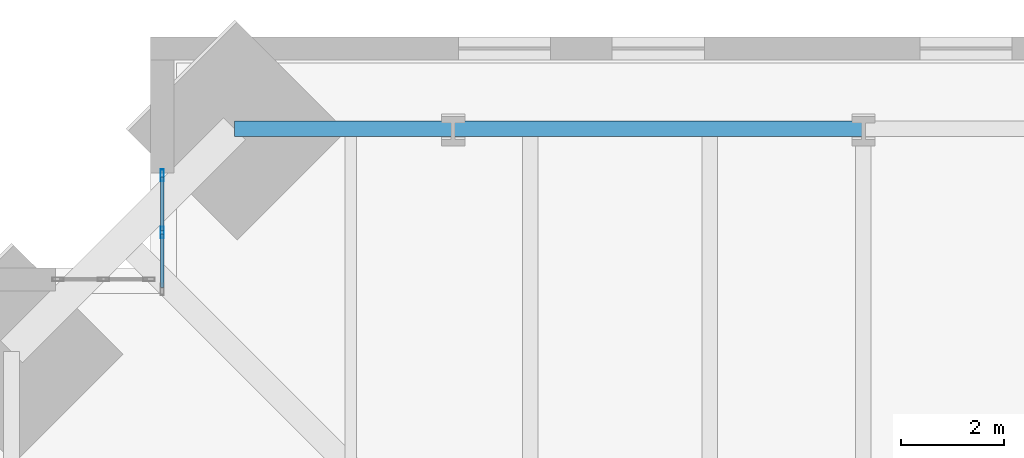
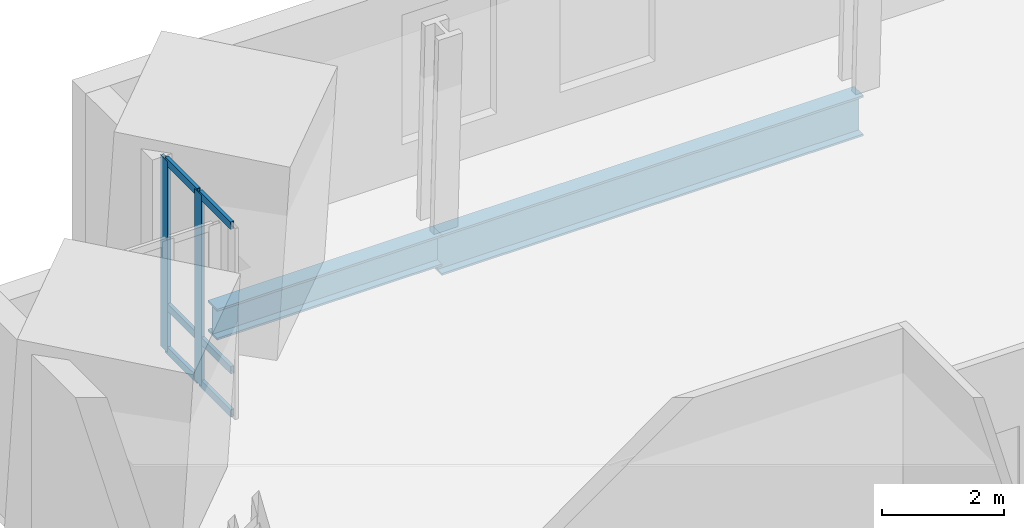
# One storey, part 8 of 18: 8 members, 2 beams, 1 element without a shape of its own.
"""IFC4 building model written with IfcOpenShell, lengths in metres."""

import ifcopenshell
import ifcopenshell.guid

model = None  # the IFC model being written
_history = None  # IfcOwnerHistory: only IFC2X3 demands one
_inside = {}  # id of a spatial element -> (the spatial element, [elements in it])
_under = {}  # id of a project, library or spatial element -> (it, [spatial elements below it])
_declared = {}  # id of a project -> (the project, [libraries it declares])
_typed = {}  # id of a type object -> (the type object, [elements of that type])
_made_of = {}  # id of a material, layer set ... -> (it, [elements and type objects made of it])


def new_model(schema):
    """Start an empty IFC model of exactly this schema.

    Asked for "IFC4X3", IfcOpenShell would pick the latest addendum, in which some entities
    have other attributes; the version numbers below select the first issue.
    IFC2X3 requires an IfcOwnerHistory on every rooted entity: one is made here for all.
    """
    global model, _history
    if schema == "IFC4X3":
        model = ifcopenshell.file(schema_version=(4, 3, 0, 0))
    else:
        model = ifcopenshell.file(schema=schema)
    _inside.clear()
    _under.clear()
    _declared.clear()
    _typed.clear()
    _made_of.clear()
    _history = None
    if model.schema == "IFC2X3":
        org = make("IfcOrganization", Name="unknown")
        user = make(
            "IfcPersonAndOrganization",
            ThePerson=make("IfcPerson", FamilyName="unknown"),
            TheOrganization=org,
        )
        app = make(
            "IfcApplication",
            ApplicationDeveloper=org,
            Version="unknown",
            ApplicationFullName="unknown",
            ApplicationIdentifier="unknown",
        )
        _history = make(
            "IfcOwnerHistory",
            OwningUser=user,
            OwningApplication=app,
            ChangeAction="ADDED",
            CreationDate=0,
        )
    return model


def make(cls, **values):
    """One entity of the class cls with the attributes given. An attribute that is None is left unset."""
    return model.create_entity(
        cls, **{name: value for name, value in values.items() if value is not None}
    )


def rooted(cls, **values):
    """An entity with a GlobalId (a new one), such as an element, a storey or a relation."""
    return make(cls, GlobalId=ifcopenshell.guid.new(), OwnerHistory=_history, **values)


def si_unit(unit_type, name, prefix=None):
    """IfcSIUnit, for example si_unit("LENGTHUNIT", "METRE", prefix="MILLI")."""
    return make("IfcSIUnit", UnitType=unit_type, Prefix=prefix, Name=name)


def assignment(units):
    """IfcUnitAssignment: the units of a project."""
    return None if units is None else make("IfcUnitAssignment", Units=units)


def point(xyz):
    """IfcCartesianPoint."""
    return None if xyz is None else make("IfcCartesianPoint", Coordinates=xyz)


def direction(xyz):
    """IfcDirection."""
    return None if xyz is None else make("IfcDirection", DirectionRatios=xyz)


def frame(location, z_axis=None, x_axis=None):
    """IfcAxis2Placement3D, a coordinate frame: its origin and axes. An axis left out is left unset."""
    return make(
        "IfcAxis2Placement3D",
        Location=point(location),
        Axis=direction(z_axis),
        RefDirection=direction(x_axis),
    )


def frame_2d(location, x_axis=None):
    """IfcAxis2Placement2D, a coordinate frame in the plane: its origin and x axis."""
    return make(
        "IfcAxis2Placement2D", Location=point(location), RefDirection=direction(x_axis)
    )


def origin():
    """The frame at (0, 0, 0) with its axes left unset."""
    return frame((0.0, 0.0, 0.0))


def origin_2d():
    """The frame at (0, 0) in the plane with its x axis left unset."""
    return frame_2d((0.0, 0.0))


def place(relative_to, where):
    """IfcLocalPlacement: puts the frame where relative to a parent placement (None: the world)."""
    return make(
        "IfcLocalPlacement", PlacementRelTo=relative_to, RelativePlacement=where
    )


def context(
    kind, dimensions, precision=None, world=None, true_north=None, identifier=None
):
    """IfcGeometricRepresentationContext, for example the 3D "Model" context."""
    return make(
        "IfcGeometricRepresentationContext",
        ContextIdentifier=identifier,
        ContextType=kind,
        CoordinateSpaceDimension=dimensions,
        Precision=precision,
        WorldCoordinateSystem=world,
        TrueNorth=true_north,
    )


def subcontext(parent, identifier, kind, view, scale=None):
    """IfcGeometricRepresentationSubContext, for example "Body" below "Model"."""
    return make(
        "IfcGeometricRepresentationSubContext",
        ContextIdentifier=identifier,
        ContextType=kind,
        ParentContext=parent,
        TargetScale=scale,
        TargetView=view,
    )


def project(units=None, contexts=None):
    """IfcProject with its units and contexts."""
    return rooted(
        "IfcProject",
        Name="project",
        RepresentationContexts=contexts,
        UnitsInContext=assignment(units),
    )


def spatial(cls, under=None, at=None, **own):
    """A site, building, storey or space (cls), placed at a placement, below another one or the project."""
    s = rooted(cls, ObjectPlacement=at, **own)
    if under is not None:
        _under.setdefault(under.id(), (under, []))[1].append(s)
    return s


def profile(cls, at=None, kind="AREA", **sizes):
    """A parametric profile (cls). Its sizes go by their IFC names, for example OverallWidth=200.0."""
    return make(cls, ProfileType=kind, Position=at, **sizes)


def hollow_rectangle(**sizes):
    """IfcRectangleHollowProfileDef."""
    return profile("IfcRectangleHollowProfileDef", **sizes)


def i_section(**sizes):
    """IfcIShapeProfileDef."""
    return profile("IfcIShapeProfileDef", **sizes)


def extrude(swept, where, along, depth):
    """IfcExtrudedAreaSolid: the profile swept, set in the frame where, extruded along a direction by depth."""
    return make(
        "IfcExtrudedAreaSolid",
        SweptArea=swept,
        Position=where,
        ExtrudedDirection=direction(along),
        Depth=depth,
    )


def shape(context_of_items, identifier, shape_type, items):
    """IfcShapeRepresentation: the items that make up one representation, for example the "Body"."""
    return make(
        "IfcShapeRepresentation",
        ContextOfItems=context_of_items,
        RepresentationIdentifier=identifier,
        RepresentationType=shape_type,
        Items=items,
    )


def material(Name=None, Category=None):
    """IfcMaterial."""
    return make("IfcMaterial", Name=Name, Category=Category)


def material_profile(
    of_material, cross_section, Name=None, Category=None, Priority=None
):
    """IfcMaterialProfile: a cross section and its material."""
    return make(
        "IfcMaterialProfile",
        Name=Name,
        Material=of_material,
        Profile=cross_section,
        Priority=Priority,
        Category=Category,
    )


def profile_set(profiles, Name=None, composite=None):
    """IfcMaterialProfileSet."""
    return make(
        "IfcMaterialProfileSet",
        Name=Name,
        MaterialProfiles=profiles,
        CompositeProfile=composite,
    )


def made_of(thing, what):
    """Note that an element or type object is made of a material, layer set ...; save() writes the relation."""
    if what is not None:
        _made_of.setdefault(what.id(), (what, []))[1].append(thing)
    return thing


def type_object(cls, material=None, **own):
    """A type object (cls), such as IfcWallType, which elements share."""
    return made_of(rooted(cls, **own), material)


def element(
    cls,
    number,
    at=None,
    inside=None,
    cuts=None,
    type_object=None,
    material=None,
    context=None,
    identifier="Body",
    shape_type=None,
    held_by="IfcProductDefinitionShape",
    body=None,
    shapes=None,
    **own,
):
    """One element of the class cls, such as IfcWall. Its Tag is "e" and its number.

    at: its placement. inside: the storey or other place that contains it. cuts: it is an
    opening in that element (IfcRelVoidsElement). A single representation is given by context,
    identifier, shape_type and body (its items); several are given by shapes. held_by: the class
    of the entity that holds the representations. save() writes the other relations.
    """
    e = rooted(cls, Tag="e%d" % number, ObjectPlacement=at, **own)
    if body is not None:
        shapes = [shape(context, identifier, shape_type, body)]
    if shapes is not None:
        e.Representation = make(held_by, Representations=shapes)
    if inside is not None:
        _inside.setdefault(inside.id(), (inside, []))[1].append(e)
    if cuts is not None:
        rooted(
            "IfcRelVoidsElement", RelatingBuildingElement=cuts, RelatedOpeningElement=e
        )
    if type_object is not None:
        _typed.setdefault(type_object.id(), (type_object, []))[1].append(e)
    return made_of(e, material)


def aggregate(whole, parts):
    """IfcRelAggregates: a whole, such as a stair, and the parts it consists of."""
    return rooted("IfcRelAggregates", RelatingObject=whole, RelatedObjects=parts)


def save(model, path):
    """Write the relations noted so far, then the file.

    IfcRelAggregates (storeys below a building ...), IfcRelContainedInSpatialStructure (elements
    in a storey), IfcRelDefinesByType, IfcRelAssociatesMaterial and IfcRelDeclares: one each for
    every whole, place, type object, material and project.
    """
    for whole, parts in _under.values():
        aggregate(whole, parts)
    for where, things in _inside.values():
        rooted(
            "IfcRelContainedInSpatialStructure",
            RelatedElements=things,
            RelatingStructure=where,
        )
    for kind, things in _typed.values():
        rooted("IfcRelDefinesByType", RelatedObjects=things, RelatingType=kind)
    for what, things in _made_of.values():
        rooted("IfcRelAssociatesMaterial", RelatedObjects=things, RelatingMaterial=what)
    for by, libraries in _declared.values():
        rooted("IfcRelDeclares", RelatingContext=by, RelatedDefinitions=libraries)
    model.write(path)


model = new_model("IFC4")

# Units and contexts
model_context = context("Model", 3, precision=1e-05, world=origin(), true_north=direction((0.0, 1.0)))
body_context = subcontext(model_context, "Body", "Model", "MODEL_VIEW")
ifc_project = project(units=[si_unit("LENGTHUNIT", "METRE"), si_unit("AREAUNIT", "SQUARE_METRE"), si_unit("VOLUMEUNIT", "CUBIC_METRE"), si_unit("PLANEANGLEUNIT", "RADIAN"), si_unit("MASSUNIT", "GRAM", prefix="KILO")], contexts=[model_context])

# Site, building, storey
site_placement = place(None, origin())
site = spatial("IfcSite", under=ifc_project, at=site_placement, CompositionType="ELEMENT")
building_placement = place(site_placement, origin())
building = spatial("IfcBuilding", under=site, at=building_placement, Name="Peilmerk Tower", CompositionType="ELEMENT")
storey_placement = place(building_placement, frame((0.0, 0.0, 155.800048828125)))
storey = spatial("IfcBuildingStorey", under=building, at=storey_placement, Name="L32", CompositionType="ELEMENT", Elevation=155.800048828125)

# Beams
ifc_material_1 = material(Name="Steel S355", Category="steel")
ifc_material_profile_1 = material_profile(ifc_material_1, i_section(OverallWidth=0.302978515625, OverallDepth=0.81396484375, WebThickness=0.02099609375, FlangeThickness=0.0400390625, at=origin_2d()), Name="HEM 800")
ifc_profile_set_1 = profile_set([ifc_material_profile_1], Name="Steel S355")
beam_type_1 = type_object("IfcBeamType", Name="B15 HEM 800 edge beam", PredefinedType="SPANDREL", material=ifc_profile_set_1)
beam_1_placement = place(storey_placement, frame((-8.0, 24.614501953125, -0.5771484375), z_axis=(-1.0, 0.0, 0.0), x_axis=(0.0, -1.0, 0.0)))
element("IfcBeam", 1, at=beam_1_placement, inside=storey, type_object=beam_type_1, Name="Edge beam L32", PredefinedType="SPANDREL", context=body_context, shape_type="SweptSolid", body=[
    extrude(i_section(OverallWidth=0.302978515625, OverallDepth=0.81396484375, WebThickness=0.02099609375, FlangeThickness=0.0400390625, at=origin_2d()), origin(), (0.0, 0.0, 1.0), 8.0),
])
ifc_material_profile_2 = material_profile(ifc_material_1, i_section(OverallWidth=0.304931640625, OverallDepth=0.6201171875, WebThickness=0.02099609375, FlangeThickness=0.0400390625, at=origin_2d()), Name="HEM 600")
ifc_profile_set_2 = profile_set([ifc_material_profile_2], Name="Steel S355")
beam_type_2 = type_object("IfcBeamType", Name="B31 HEM 600 edge beam", PredefinedType="SPANDREL", material=ifc_profile_set_2)
beam_2_placement = place(storey_placement, frame((-16.0, 24.614501953125, -0.47998046875), z_axis=(-1.0, 0.0, 0.0), x_axis=(0.0, -1.0, 0.0)))
element("IfcBeam", 2, at=beam_2_placement, inside=storey, type_object=beam_type_2, Name="Edge beam L32", PredefinedType="SPANDREL", context=body_context, shape_type="SweptSolid", body=[
    extrude(i_section(OverallWidth=0.304931640625, OverallDepth=0.6201171875, WebThickness=0.02099609375, FlangeThickness=0.0400390625, at=origin_2d()), origin(), (0.0, 0.0, 1.0), 4.264404296875),
])

# Curtain wall, members
ifc_material_2 = material(Name="Aluminium stick curtain wall", Category="aluminium")
curtain_wall_type = type_object("IfcCurtainWallType", Name="CW3 stick curtain wall, 2250 module", PredefinedType="NOTDEFINED", material=ifc_material_2)
curtain_wall_placement = place(storey_placement, origin())
curtain_wall = element("IfcCurtainWall", 3, at=curtain_wall_placement, inside=storey, type_object=curtain_wall_type, Name="Curtain wall CW3 NWA L32", PredefinedType="NOTDEFINED")
ifc_material_3 = material(Name="Aluminium EN AW-6063 T6", Category="aluminium")
ifc_material_profile_3 = material_profile(ifc_material_3, hollow_rectangle(XDim=0.06494140625, YDim=0.22509765625, WallThickness=0.00390625, at=origin_2d()), Name="AL 225x65x4")
ifc_profile_set_3 = profile_set([ifc_material_profile_3], Name="Aluminium EN AW-6063 T6")
member_type_1 = type_object("IfcMemberType", Name="CW3-M AL 225x65x4 mullion", PredefinedType="MULLION", material=ifc_profile_set_3)
member_1_placement = place(storey_placement, frame((-21.675048828125, 22.59423828125, 0.0), z_axis=(0.0, 0.0, 1.0), x_axis=(-1.0, 0.0, 0.0)))
member_1 = element("IfcMember", 4, at=member_1_placement, type_object=member_type_1, Name="CW3 mullion 2", PredefinedType="MULLION", context=body_context, shape_type="SweptSolid", body=[
    extrude(hollow_rectangle(XDim=0.06494140625, YDim=0.22509765625, WallThickness=0.00390625, at=origin_2d()), origin(), (0.0, 0.0, 1.0), 3.829833984375),
])
member_2_placement = place(storey_placement, frame((-21.675048828125, 23.706298828125, 0.0), z_axis=(0.0, 0.0, 1.0), x_axis=(-1.0, 0.0, 0.0)))
member_2 = element("IfcMember", 5, at=member_2_placement, type_object=member_type_1, Name="CW3 mullion 3", PredefinedType="MULLION", context=body_context, shape_type="SweptSolid", body=[
    extrude(hollow_rectangle(XDim=0.06494140625, YDim=0.22509765625, WallThickness=0.00390625, at=origin_2d()), origin(), (0.0, 0.0, 1.0), 3.829833984375),
])
ifc_material_profile_4 = material_profile(ifc_material_3, hollow_rectangle(XDim=0.06494140625, YDim=0.14990234375, WallThickness=0.0029296875, at=origin_2d()), Name="AL 150x65x3")
ifc_profile_set_4 = profile_set([ifc_material_profile_4], Name="Aluminium EN AW-6063 T6")
member_type_2 = type_object("IfcMemberType", Name="CW3-T AL 150x65x3 transom", PredefinedType="USERDEFINED", material=ifc_profile_set_4)
member_3_placement = place(storey_placement, frame((-21.675048828125, 21.514892578125, 0.032470703125), z_axis=(0.0, 1.0, 0.0), x_axis=(-1.0, 0.0, 0.0)))
member_3 = element("IfcMember", 6, at=member_3_placement, type_object=member_type_2, Name="CW3 transom 1.1", ObjectType="TRANSOM", PredefinedType="USERDEFINED", context=body_context, shape_type="SweptSolid", body=[
    extrude(hollow_rectangle(XDim=0.06494140625, YDim=0.14990234375, WallThickness=0.0029296875, at=origin_2d()), origin(), (0.0, 0.0, 1.0), 1.046875),
])
member_4_placement = place(storey_placement, frame((-21.675048828125, 21.514892578125, 0.89990234375), z_axis=(0.0, 1.0, 0.0), x_axis=(-1.0, 0.0, 0.0)))
member_4 = element("IfcMember", 7, at=member_4_placement, type_object=member_type_2, Name="CW3 transom 1.2", ObjectType="TRANSOM", PredefinedType="USERDEFINED", context=body_context, shape_type="SweptSolid", body=[
    extrude(hollow_rectangle(XDim=0.06494140625, YDim=0.14990234375, WallThickness=0.0029296875, at=origin_2d()), origin(), (0.0, 0.0, 1.0), 1.046875),
])
member_5_placement = place(storey_placement, frame((-21.675048828125, 21.514892578125, 3.79736328125), z_axis=(0.0, 1.0, 0.0), x_axis=(-1.0, 0.0, 0.0)))
member_5 = element("IfcMember", 8, at=member_5_placement, type_object=member_type_2, Name="CW3 transom 1.3", ObjectType="TRANSOM", PredefinedType="USERDEFINED", context=body_context, shape_type="SweptSolid", body=[
    extrude(hollow_rectangle(XDim=0.06494140625, YDim=0.14990234375, WallThickness=0.0029296875, at=origin_2d()), origin(), (0.0, 0.0, 1.0), 1.046875),
])
member_6_placement = place(storey_placement, frame((-21.675048828125, 22.626953125, 0.032470703125), z_axis=(0.0, 1.0, 0.0), x_axis=(-1.0, 0.0, 0.0)))
member_6 = element("IfcMember", 9, at=member_6_placement, type_object=member_type_2, Name="CW3 transom 2.1", ObjectType="TRANSOM", PredefinedType="USERDEFINED", context=body_context, shape_type="SweptSolid", body=[
    extrude(hollow_rectangle(XDim=0.06494140625, YDim=0.14990234375, WallThickness=0.0029296875, at=origin_2d()), origin(), (0.0, 0.0, 1.0), 1.046630859375),
])
member_7_placement = place(storey_placement, frame((-21.675048828125, 22.626953125, 0.89990234375), z_axis=(0.0, 1.0, 0.0), x_axis=(-1.0, 0.0, 0.0)))
member_7 = element("IfcMember", 10, at=member_7_placement, type_object=member_type_2, Name="CW3 transom 2.2", ObjectType="TRANSOM", PredefinedType="USERDEFINED", context=body_context, shape_type="SweptSolid", body=[
    extrude(hollow_rectangle(XDim=0.06494140625, YDim=0.14990234375, WallThickness=0.0029296875, at=origin_2d()), origin(), (0.0, 0.0, 1.0), 1.046630859375),
])
member_8_placement = place(storey_placement, frame((-21.675048828125, 22.626953125, 3.79736328125), z_axis=(0.0, 1.0, 0.0), x_axis=(-1.0, 0.0, 0.0)))
member_8 = element("IfcMember", 11, at=member_8_placement, type_object=member_type_2, Name="CW3 transom 2.3", ObjectType="TRANSOM", PredefinedType="USERDEFINED", context=body_context, shape_type="SweptSolid", body=[
    extrude(hollow_rectangle(XDim=0.06494140625, YDim=0.14990234375, WallThickness=0.0029296875, at=origin_2d()), origin(), (0.0, 0.0, 1.0), 1.046630859375),
])
aggregate(curtain_wall, [member_1, member_2, member_3, member_4, member_5, member_6, member_7, member_8])

save(model, "model.ifc")
